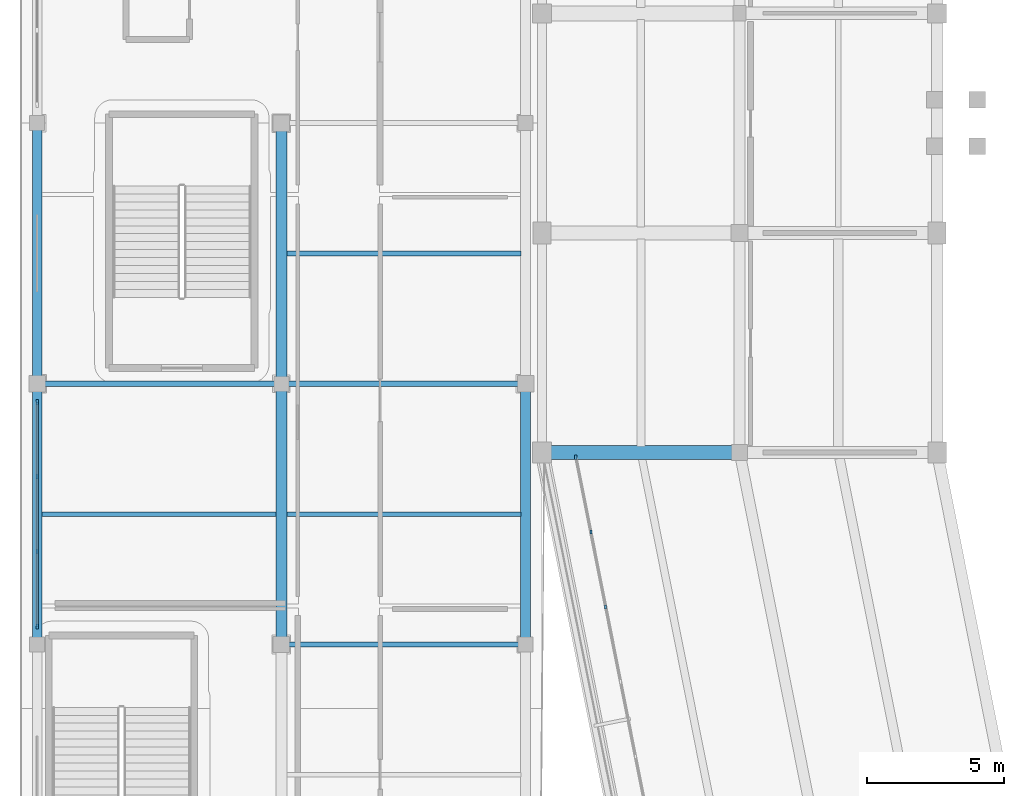
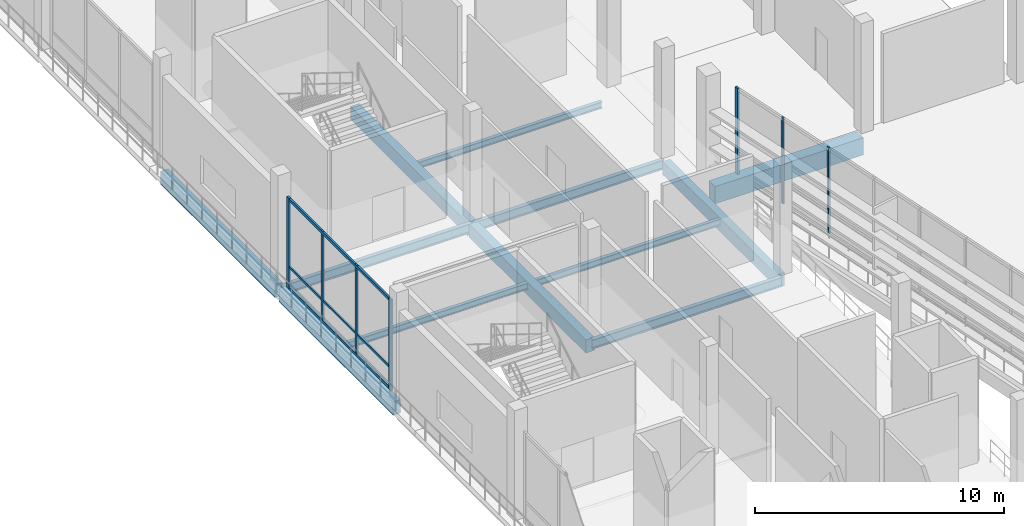
# One storey, part 22 of 111: 12 beams, 10 members, 2 elements without a shape of their own.
"""IFC4 building model written with IfcOpenShell, lengths in metres."""

from ifc_helpers import new_model, si_unit, direction, frame, origin, origin_2d, place, context, subcontext, project, spatial, rectangle, i_section, extrude, material, material_profile, profile_set, type_object, element, aggregate, save


model = new_model("IFC4")

# Units and contexts
model_context = context("Model", 3, precision=1e-05, world=origin(), true_north=direction((0.0, 1.0)))
body_context = subcontext(model_context, "Body", "Model", "MODEL_VIEW")
ifc_project = project(units=[si_unit("LENGTHUNIT", "METRE"), si_unit("AREAUNIT", "SQUARE_METRE"), si_unit("VOLUMEUNIT", "CUBIC_METRE"), si_unit("PLANEANGLEUNIT", "RADIAN"), si_unit("MASSUNIT", "GRAM", prefix="KILO")], contexts=[model_context])

# Site, building, storey
site_placement = place(None, origin())
site = spatial("IfcSite", under=ifc_project, at=site_placement, CompositionType="ELEMENT")
building_placement = place(site_placement, origin())
building = spatial("IfcBuilding", under=site, at=building_placement, Name="Candeia Ridge Stadium", CompositionType="ELEMENT")
storey_placement = place(building_placement, frame((0.0, 0.0, 16.199951171875)))
storey = spatial("IfcBuildingStorey", under=building, at=storey_placement, Name="L03", CompositionType="ELEMENT", Elevation=16.199951171875)

# Curtain wall, member
ifc_material_1 = material(Name="Aluminium Anodized Warm Bronze", Category="aluminium")
curtain_wall_type_1 = type_object("IfcCurtainWallType", Name="Concourse Recessed Unitised Curtain Wall", PredefinedType="NOTDEFINED", material=ifc_material_1)
curtain_wall_1_placement = place(storey_placement, origin())
curtain_wall_1 = element("IfcCurtainWall", 1, at=curtain_wall_1_placement, inside=storey, type_object=curtain_wall_type_1, Name="Unitised curtain wall CW-BWL-L03-14", PredefinedType="NOTDEFINED")
ifc_material_profile_1 = material_profile(ifc_material_1, rectangle(XDim=0.090087890625, YDim=0.179931640625, at=origin_2d()), Name="CWM-90x180", Category="aluminium")
ifc_profile_set_1 = profile_set([ifc_material_profile_1], Name="Aluminium Anodized Warm Bronze")
member_type_1 = type_object("IfcMemberType", Name="Curtain Wall Primary Mullion 90x180", PredefinedType="MULLION", material=ifc_profile_set_1)
member_1_placement = place(storey_placement, frame((20.235107421875, 70.823486328125, 0.0), z_axis=(0.0, 0.0, 1.0), x_axis=(1.0, 0.0, 0.0)))
member_1 = element("IfcMember", 2, at=member_1_placement, type_object=member_type_1, Name="Curtain wall mullion CW-BWL-L03-14-M0", PredefinedType="MULLION", context=body_context, shape_type="SweptSolid", body=[
    extrude(rectangle(XDim=0.090087890625, YDim=0.179931640625, at=origin_2d()), origin(), (0.0, 0.0, 1.0), 4.205078125),
])

# Curtain wall, members
curtain_wall_type_2 = type_object("IfcCurtainWallType", Name="West Pavilion Hospitality Curtain Wall", PredefinedType="NOTDEFINED", material=ifc_material_1)
curtain_wall_2_placement = place(storey_placement, origin())
curtain_wall_2 = element("IfcCurtainWall", 3, at=curtain_wall_2_placement, inside=storey, type_object=curtain_wall_type_2, Name="Unitised curtain wall CW-WNG-L03-089", PredefinedType="NOTDEFINED")
member_2_placement = place(storey_placement, frame((0.60009765625, 64.659912109375, 0.0), z_axis=(0.0, 0.0, 1.0), x_axis=(1.0, 0.0, 0.0)))
member_2 = element("IfcMember", 4, at=member_2_placement, type_object=member_type_1, Name="Curtain wall mullion CW-WNG-L03-089-M0", PredefinedType="MULLION", context=body_context, shape_type="SweptSolid", body=[
    extrude(rectangle(XDim=0.090087890625, YDim=0.179931640625, at=origin_2d()), origin(), (0.0, 0.0, 1.0), 4.47509765625),
])
member_3_placement = place(storey_placement, frame((0.60009765625, 72.840087890625, 0.0), z_axis=(0.0, 0.0, 1.0), x_axis=(1.0, 0.0, 0.0)))
member_3 = element("IfcMember", 5, at=member_3_placement, type_object=member_type_1, Name="Curtain wall mullion CW-WNG-L03-089-M3", PredefinedType="MULLION", context=body_context, shape_type="SweptSolid", body=[
    extrude(rectangle(XDim=0.090087890625, YDim=0.179931640625, at=origin_2d()), origin(), (0.0, 0.0, 1.0), 4.47509765625),
])

# Member
ifc_material_profile_2 = material_profile(ifc_material_1, rectangle(XDim=0.074951171875, YDim=0.14990234375, at=origin_2d()), Name="CWM-75x150", Category="aluminium")
ifc_profile_set_2 = profile_set([ifc_material_profile_2], Name="Aluminium Anodized Warm Bronze")
member_type_2 = type_object("IfcMemberType", Name="Curtain Wall Secondary Mullion 75x150", PredefinedType="MULLION", material=ifc_profile_set_2)
member_4_placement = place(storey_placement, frame((20.777587890625, 68.0966796875, 0.0), z_axis=(0.0, 0.0, 1.0), x_axis=(1.0, 0.0, 0.0)))
member_4 = element("IfcMember", 6, at=member_4_placement, type_object=member_type_2, Name="Curtain wall mullion CW-BWL-L03-14-M1", PredefinedType="MULLION", context=body_context, shape_type="SweptSolid", body=[
    extrude(rectangle(XDim=0.074951171875, YDim=0.14990234375, at=origin_2d()), origin(), (0.0, 0.0, 1.0), 4.205078125),
])

member_5_placement = place(storey_placement, frame((21.31982421875, 65.3701171875, 0.0), z_axis=(0.0, 0.0, 1.0), x_axis=(1.0, 0.0, 0.0)))
member_5 = element("IfcMember", 7, at=member_5_placement, type_object=member_type_2, Name="Curtain wall mullion CW-BWL-L03-14-M2", PredefinedType="MULLION", context=body_context, shape_type="SweptSolid", body=[
    extrude(rectangle(XDim=0.074951171875, YDim=0.14990234375, at=origin_2d()), origin(), (0.0, 0.0, 1.0), 4.205078125),
])

aggregate(curtain_wall_1, [member_1, member_4, member_5])

member_6_placement = place(storey_placement, frame((0.60009765625, 67.38671875, 0.0), z_axis=(0.0, 0.0, 1.0), x_axis=(1.0, 0.0, 0.0)))
member_6 = element("IfcMember", 8, at=member_6_placement, type_object=member_type_2, Name="Curtain wall mullion CW-WNG-L03-089-M1", PredefinedType="MULLION", context=body_context, shape_type="SweptSolid", body=[
    extrude(rectangle(XDim=0.074951171875, YDim=0.14990234375, at=origin_2d()), origin(), (0.0, 0.0, 1.0), 4.47509765625),
])

member_7_placement = place(storey_placement, frame((0.60009765625, 70.11328125, 0.0), z_axis=(0.0, 0.0, 1.0), x_axis=(1.0, 0.0, 0.0)))
member_7 = element("IfcMember", 9, at=member_7_placement, type_object=member_type_2, Name="Curtain wall mullion CW-WNG-L03-089-M2", PredefinedType="MULLION", context=body_context, shape_type="SweptSolid", body=[
    extrude(rectangle(XDim=0.074951171875, YDim=0.14990234375, at=origin_2d()), origin(), (0.0, 0.0, 1.0), 4.47509765625),
])

ifc_material_profile_3 = material_profile(ifc_material_1, rectangle(XDim=0.074951171875, YDim=0.110107421875, at=origin_2d()), Name="CWT-75x110", Category="aluminium")
ifc_profile_set_3 = profile_set([ifc_material_profile_3], Name="Aluminium Anodized Warm Bronze")
member_type_3 = type_object("IfcMemberType", Name="Curtain Wall Secondary Transom 75x110", PredefinedType="USERDEFINED", material=ifc_profile_set_3)
member_8_placement = place(storey_placement, frame((0.60009765625, 64.659912109375, 1.10009765625), z_axis=(0.0, 1.0, 0.0), x_axis=(-1.0, 0.0, 0.0)))
member_8 = element("IfcMember", 10, at=member_8_placement, type_object=member_type_3, Name="Curtain wall transom CW-WNG-L03-089-T1", ObjectType="TRANSOM", PredefinedType="USERDEFINED", context=body_context, shape_type="SweptSolid", body=[
    extrude(rectangle(XDim=0.074951171875, YDim=0.110107421875, at=origin_2d()), origin(), (0.0, 0.0, 1.0), 8.18017578125),
])

ifc_material_profile_4 = material_profile(ifc_material_1, rectangle(XDim=0.090087890625, YDim=0.139892578125, at=origin_2d()), Name="CWT-90x140", Category="aluminium")
ifc_profile_set_4 = profile_set([ifc_material_profile_4], Name="Aluminium Anodized Warm Bronze")
member_type_4 = type_object("IfcMemberType", Name="Curtain Wall Transom 90x140", PredefinedType="USERDEFINED", material=ifc_profile_set_4)
member_9_placement = place(storey_placement, frame((0.60009765625, 64.659912109375, 0.070068359375), z_axis=(0.0, 1.0, 0.0), x_axis=(-1.0, 0.0, 0.0)))
member_9 = element("IfcMember", 11, at=member_9_placement, type_object=member_type_4, Name="Curtain wall transom CW-WNG-L03-089-T0", ObjectType="TRANSOM", PredefinedType="USERDEFINED", context=body_context, shape_type="SweptSolid", body=[
    extrude(rectangle(XDim=0.090087890625, YDim=0.139892578125, at=origin_2d()), origin(), (0.0, 0.0, 1.0), 8.18017578125),
])

member_10_placement = place(storey_placement, frame((0.60009765625, 64.659912109375, 4.405029296875), z_axis=(0.0, 1.0, 0.0), x_axis=(-1.0, 0.0, 0.0)))
member_10 = element("IfcMember", 12, at=member_10_placement, type_object=member_type_4, Name="Curtain wall transom CW-WNG-L03-089-T2", ObjectType="TRANSOM", PredefinedType="USERDEFINED", context=body_context, shape_type="SweptSolid", body=[
    extrude(rectangle(XDim=0.090087890625, YDim=0.139892578125, at=origin_2d()), origin(), (0.0, 0.0, 1.0), 8.18017578125),
])

aggregate(curtain_wall_2, [member_2, member_6, member_7, member_3, member_9, member_8, member_10])

# Beams
ifc_material_2 = material(Name="Concrete C45/55", Category="concrete")
ifc_material_profile_5 = material_profile(ifc_material_2, rectangle(XDim=0.5, YDim=0.85009765625, at=origin_2d()), Name="RC500x850", Category="concrete")
ifc_profile_set_5 = profile_set([ifc_material_profile_5], Name="Concrete C45/55")
beam_type_1 = type_object("IfcBeamType", Name="Frame Girder RC500x850", PredefinedType="BEAM", material=ifc_profile_set_5)
beam_placement = place(storey_placement, frame((26.0400390625, 71.0, -0.675048828125), z_axis=(-1.0, 0.0, 0.0), x_axis=(0.0, -1.0, 0.0)))
element("IfcBeam", 13, at=beam_placement, inside=storey, type_object=beam_type_1, Name="Bowl radial girder BM-L03-0510", PredefinedType="BEAM", context=body_context, shape_type="SweptSolid", body=[
    extrude(rectangle(XDim=0.5, YDim=0.85009765625, at=origin_2d()), origin(), (0.0, 0.0, 1.0), 6.880126953125),
])
ifc_material_3 = material(Name="Steel ASTM A572 Grade 50", Category="steel")
ifc_material_profile_6 = material_profile(ifc_material_3, i_section(OverallWidth=0.1669921875, OverallDepth=0.31689453125, WebThickness=0.007568359375, FlangeThickness=0.01318359375, FilletRadius=0.011962890625, at=origin_2d()), Name="W310x52", Category="steel")
ifc_profile_set_6 = profile_set([ifc_material_profile_6], Name="Steel ASTM A572 Grade 50")
beam_type_2 = type_object("IfcBeamType", Name="Pavilion Secondary Joist W310x52", PredefinedType="JOIST", material=ifc_profile_set_6)
for number, where, z_axis, x_axis, name in (
    (14, (0.7744140625, 68.75, -0.408447265625), (1.0, 0.0, 0.0), (0.0, 1.0, 0.0), "Wing secondary joist BM-L03-1239"),
    (15, (9.699462890625, 68.75, -0.408447265625), (1.0, 0.0, 0.0), (0.0, 1.0, 0.0), "Wing secondary joist BM-L03-1259"),
    (16, (9.699462890625, 78.25, -0.408447265625), (1.0, 0.0, 0.0), (0.0, 1.0, 0.0), "Wing secondary joist BM-L03-1261"),
):
    element("IfcBeam", number, at=place(storey_placement, frame(where, z_axis=z_axis, x_axis=x_axis)), inside=storey, type_object=beam_type_2, Name=name, PredefinedType="JOIST", context=body_context, shape_type="SweptSolid", body=[
        extrude(i_section(OverallWidth=0.1669921875, OverallDepth=0.31689453125, WebThickness=0.007568359375, FlangeThickness=0.01318359375, FilletRadius=0.011962890625, at=origin_2d()), origin(), (0.0, 0.0, 1.0), 8.526123046875),
    ])
ifc_material_profile_7 = material_profile(ifc_material_3, i_section(OverallWidth=0.18994140625, OverallDepth=0.45703125, WebThickness=0.009033203125, FlangeThickness=0.014404296875, FilletRadius=0.012939453125, at=origin_2d()), Name="W460x74", Category="steel")
ifc_profile_set_7 = profile_set([ifc_material_profile_7], Name="Steel ASTM A572 Grade 50")
beam_type_3 = type_object("IfcBeamType", Name="Pavilion Steel Girder W460x74", PredefinedType="BEAM", material=ifc_profile_set_7)
for number, where, z_axis, x_axis, name in (
    (17, (0.64990234375, 73.5, -0.478515625), (1.0, 0.0, 0.0), (0.0, 1.0, 0.0), "Structural girder BM-L03-1240"),
    (18, (9.550048828125, 64.0, -0.478515625), (1.0, 0.0, 0.0), (0.0, 1.0, 0.0), "Structural girder BM-L03-1258"),
    (19, (9.550048828125, 73.5, -0.478515625), (1.0, 0.0, 0.0), (0.0, 1.0, 0.0), "Structural girder BM-L03-1260"),
):
    element("IfcBeam", number, at=place(storey_placement, frame(where, z_axis=z_axis, x_axis=x_axis)), inside=storey, type_object=beam_type_3, Name=name, PredefinedType="BEAM", context=body_context, shape_type="SweptSolid", body=[
        extrude(i_section(OverallWidth=0.18994140625, OverallDepth=0.45703125, WebThickness=0.009033203125, FlangeThickness=0.014404296875, FilletRadius=0.012939453125, at=origin_2d()), origin(), (0.0, 0.0, 1.0), 8.800048828125),
    ])
ifc_material_4 = material(Name="Concrete C40/50", Category="concrete")
ifc_material_profile_8 = material_profile(ifc_material_4, rectangle(XDim=0.35009765625, YDim=0.64990234375, at=origin_2d()), Name="RC350x650", Category="concrete")
ifc_profile_set_8 = profile_set([ifc_material_profile_8], Name="Concrete C40/50")
beam_type_4 = type_object("IfcBeamType", Name="Spandrel Beam RC350x650", PredefinedType="SPANDREL", material=ifc_profile_set_8)
for number, where, z_axis, x_axis, name in (
    (20, (0.60009765625, 64.159912109375, -0.574951171875), (0.0, 1.0, 0.0), (-1.0, 0.0, 0.0), "Structural girder BM-L03-1198"),
    (21, (0.60009765625, 73.659912109375, -0.574951171875), (0.0, 1.0, 0.0), (-1.0, 0.0, 0.0), "Structural girder BM-L03-1199"),
    (22, (18.39990234375, 64.159912109375, -0.574951171875), (0.0, 1.0, 0.0), (-1.0, 0.0, 0.0), "Structural girder BM-L03-1223"),
):
    element("IfcBeam", number, at=place(storey_placement, frame(where, z_axis=z_axis, x_axis=x_axis)), inside=storey, type_object=beam_type_4, Name=name, PredefinedType="SPANDREL", context=body_context, shape_type="SweptSolid", body=[
        extrude(rectangle(XDim=0.35009765625, YDim=0.64990234375, at=origin_2d()), origin(), (0.0, 0.0, 1.0), 9.18017578125),
    ])
ifc_material_profile_9 = material_profile(ifc_material_4, rectangle(XDim=0.39990234375, YDim=0.64990234375, at=origin_2d()), Name="RC400x650", Category="concrete")
ifc_profile_set_9 = profile_set([ifc_material_profile_9], Name="Concrete C40/50")
beam_type_5 = type_object("IfcBeamType", Name="Wing Primary Girder RC400x650", PredefinedType="BEAM", material=ifc_profile_set_9)
for number, where, z_axis, x_axis, name in (
    (23, (9.5, 64.050048828125, -0.574951171875), (0.0, 1.0, 0.0), (-1.0, 0.0, 0.0), "Structural girder BM-L03-1212"),
    (24, (9.5, 73.550048828125, -0.574951171875), (0.0, 1.0, 0.0), (-1.0, 0.0, 0.0), "Structural girder BM-L03-1213"),
):
    element("IfcBeam", number, at=place(storey_placement, frame(where, z_axis=z_axis, x_axis=x_axis)), inside=storey, type_object=beam_type_5, Name=name, PredefinedType="BEAM", context=body_context, shape_type="SweptSolid", body=[
        extrude(rectangle(XDim=0.39990234375, YDim=0.64990234375, at=origin_2d()), origin(), (0.0, 0.0, 1.0), 9.39990234375),
    ])

save(model, "model.ifc")
